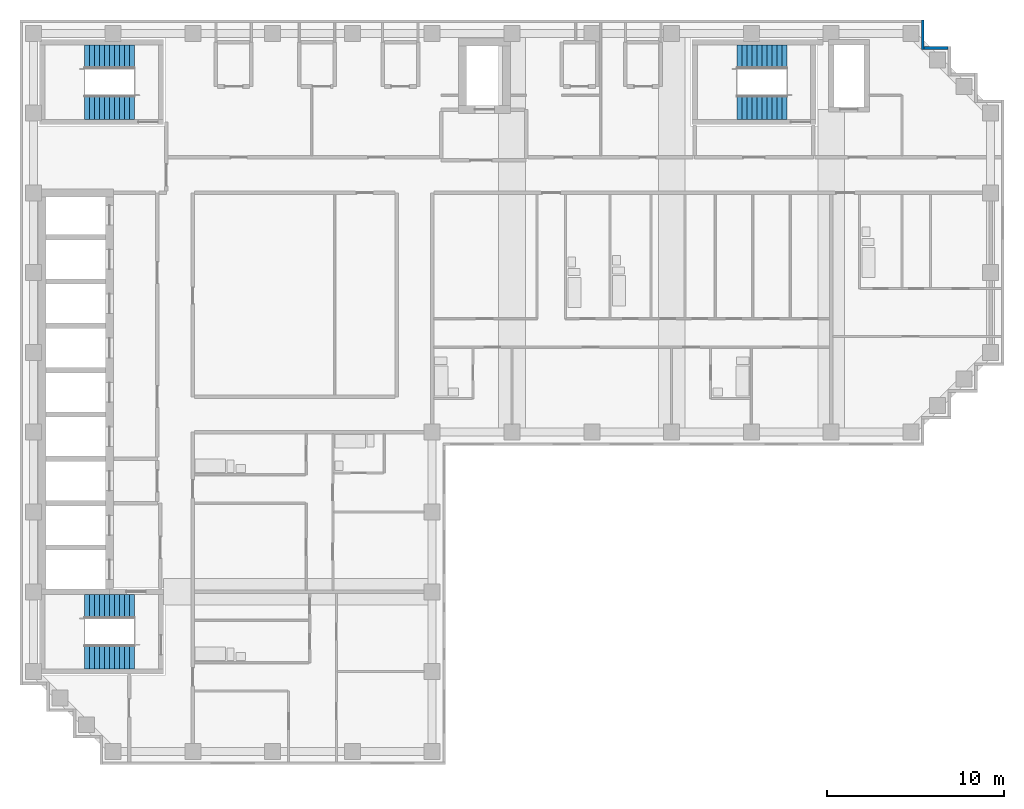
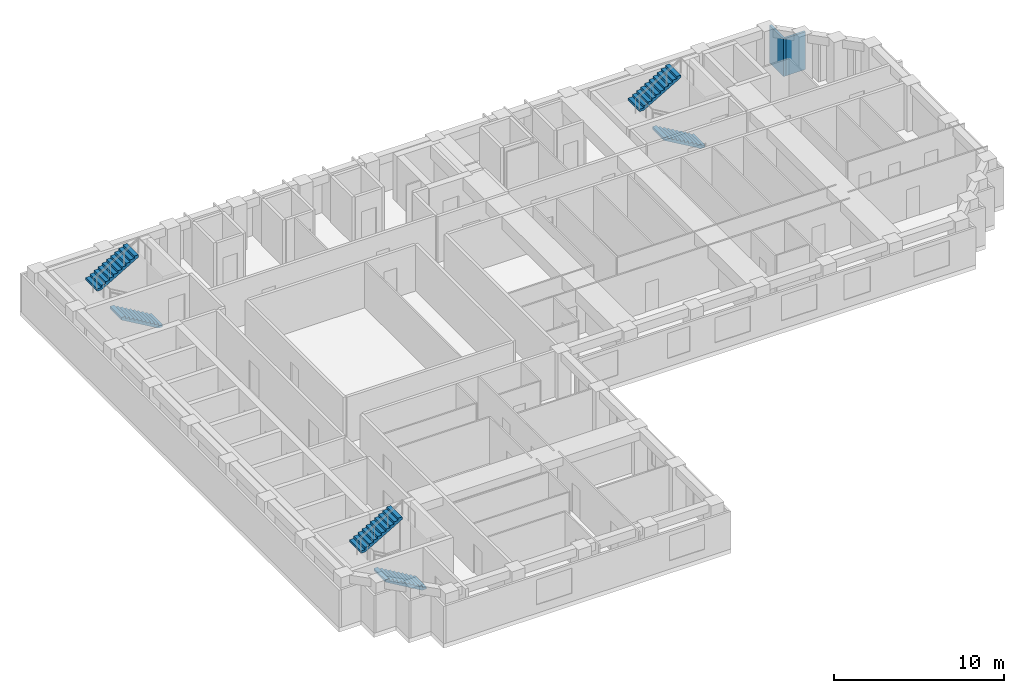
# One storey, part 7 of 9: 6 stair flights, 2 walls, 3 elements without a shape of their own.
"""IFC4 building model written with IfcOpenShell, lengths in metres."""

from ifc_helpers import new_model, si_unit, direction, frame, frame_2d, origin, place, context, subcontext, project, spatial, polyline, rectangle, outline, extrude, material, layer, layer_set, type_object, element, aggregate, save


model = new_model("IFC4")

# Units and contexts
model_context = context("Model", 3, precision=1e-05, world=origin(), true_north=direction((0.0, 1.0)))
body_context = subcontext(model_context, "Body", "Model", "MODEL_VIEW")
ifc_project = project(units=[si_unit("LENGTHUNIT", "METRE"), si_unit("AREAUNIT", "SQUARE_METRE"), si_unit("VOLUMEUNIT", "CUBIC_METRE"), si_unit("PLANEANGLEUNIT", "RADIAN"), si_unit("MASSUNIT", "GRAM", prefix="KILO")], contexts=[model_context])

# Site, building, storey
site_placement = place(None, origin())
site = spatial("IfcSite", under=ifc_project, at=site_placement, CompositionType="ELEMENT")
building_placement = place(site_placement, origin())
building = spatial("IfcBuilding", under=site, at=building_placement, Name="Firuza Court", CompositionType="ELEMENT")
storey_placement = place(building_placement, frame((0.0, 0.0, 222.199951171875)))
storey = spatial("IfcBuildingStorey", under=building, at=storey_placement, Name="L57", CompositionType="ELEMENT", Elevation=222.199951171875)

# Walls
ifc_material_1 = material(Name="Ceramic tile", Category="ceramic")
ifc_layer_1 = layer(ifc_material_1, 0.02001953125)
ifc_material_2 = material(Name="Mineral wool insulation", Category="insulation")
ifc_layer_2 = layer(ifc_material_2, 0.050048828125)
ifc_material_3 = material(Name="Concrete C40/50 precast", Category="concrete")
ifc_layer_3 = layer(ifc_material_3, 0.080078125)
ifc_layer_set = layer_set([ifc_layer_1, ifc_layer_2, ifc_layer_3], Name="Concrete C40/50 precast")
wall_type = type_object("IfcWallType", Name="Precast cladding wall with turquoise TILE PANEL face 150", PredefinedType="STANDARD", material=ifc_layer_set)
wall_1_placement = place(storey_placement, frame((51.60009765625, 57.675048828125, 0.0), z_axis=(0.0, 0.0, 1.0), x_axis=(-1.0, 0.0, 0.0)))
element("IfcWall", 1, at=wall_1_placement, inside=storey, type_object=wall_type, Name="Facade wall L57 N", PredefinedType="STANDARD", context=body_context, shape_type="SweptSolid", body=[
    extrude(rectangle(XDim=1.35009765625, YDim=0.14990234375, at=frame_2d((0.675048828125, 0.0))), origin(), (0.0, 0.0, 1.0), 2.699951171875),
])
wall_2_placement = place(storey_placement, frame((50.175048828125, 57.60009765625, 0.0), z_axis=(0.0, 0.0, 1.0), x_axis=(0.0, 1.0, 0.0)))
element("IfcWall", 2, at=wall_2_placement, inside=storey, type_object=wall_type, Name="Facade wall L57 E", PredefinedType="STANDARD", context=body_context, shape_type="SweptSolid", body=[
    extrude(rectangle(XDim=1.64990234375, YDim=0.14990234375, at=frame_2d((0.824951171875, 0.0))), origin(), (0.0, 0.0, 1.0), 2.699951171875),
])

# Stair, stair flights
ifc_material_4 = material(Name="Concrete C40/50 precast", Category="concrete")
stair_type = type_object("IfcStairType", Name="Stair 1350 x 3600 2 flights", PredefinedType="HALF_TURN_STAIR", material=ifc_material_4)
stair_1_placement = place(storey_placement, origin())
stair_1 = element("IfcStair", 3, at=stair_1_placement, inside=storey, type_object=stair_type, Name="Stair 1 L57", PredefinedType="HALF_TURN_STAIR")
ifc_material_5 = material(Name="Concrete C40/50 precast", Category="concrete")
stair_flight_type = type_object("IfcStairFlightType", Name="Flight 1350 riser 163.6", PredefinedType="STRAIGHT", material=ifc_material_5)
stair_flight_1_placement = place(storey_placement, frame((42.5, 54.324951171875, 0.0), z_axis=(0.0, 0.0, 1.0), x_axis=(-1.0, 0.0, 0.0)))
stair_flight_1 = element("IfcStairFlight", 4, at=stair_flight_1_placement, type_object=stair_flight_type, Name="S1 flight 1", NumberOfRisers=11, NumberOfTreads=10, PredefinedType="STRAIGHT", RiserHeight=0.163636364, TreadLength=0.28, context=body_context, shape_type="SweptSolid", body=[
    extrude(outline(polyline([(0.0, 0.0), (0.0, 0.16357421875), (0.280029296875, 0.16357421875), (0.280029296875, 0.327392578125), (0.56005859375, 0.327392578125), (0.56005859375, 0.490966796875), (0.840087890625, 0.490966796875), (0.840087890625, 0.654541015625), (1.1201171875, 0.654541015625), (1.1201171875, 0.818115234375), (1.39990234375, 0.818115234375), (1.39990234375, 0.98193359375), (1.679931640625, 0.98193359375), (1.679931640625, 1.1455078125), (1.9599609375, 1.1455078125), (1.9599609375, 1.30908203125), (2.239990234375, 1.30908203125), (2.239990234375, 1.47265625), (2.52001953125, 1.47265625), (2.52001953125, 1.636474609375), (2.800048828125, 1.636474609375), (2.800048828125, 1.800048828125), (2.800048828125, 1.462646484375), (0.297119140625, 0.0), (0.0, 0.0)])), frame((0.0, 0.675048828125, 0.0), z_axis=(0.0, -1.0, 0.0), x_axis=(1.0, 0.0, 0.0)), (0.0, 0.0, 1.0), 1.35009765625),
])
stair_flight_2_placement = place(storey_placement, frame((39.699951171875, 57.175048828125, 1.800048828125), z_axis=(0.0, 0.0, 1.0), x_axis=(1.0, 0.0, 0.0)))
stair_flight_2 = element("IfcStairFlight", 5, at=stair_flight_2_placement, type_object=stair_flight_type, Name="S1 flight 2", NumberOfRisers=11, NumberOfTreads=10, PredefinedType="STRAIGHT", RiserHeight=0.163636364, TreadLength=0.28, context=body_context, shape_type="SweptSolid", body=[
    extrude(outline(polyline([(0.0, 0.0), (0.0, 0.16357421875), (0.280029296875, 0.16357421875), (0.280029296875, 0.327392578125), (0.56005859375, 0.327392578125), (0.56005859375, 0.490966796875), (0.840087890625, 0.490966796875), (0.840087890625, 0.654541015625), (1.1201171875, 0.654541015625), (1.1201171875, 0.818115234375), (1.39990234375, 0.818115234375), (1.39990234375, 0.98193359375), (1.679931640625, 0.98193359375), (1.679931640625, 1.1455078125), (1.9599609375, 1.1455078125), (1.9599609375, 1.30908203125), (2.239990234375, 1.30908203125), (2.239990234375, 1.47265625), (2.52001953125, 1.47265625), (2.52001953125, 1.636474609375), (2.800048828125, 1.636474609375), (2.800048828125, 1.800048828125), (2.800048828125, 1.462646484375), (0.297119140625, 0.0), (0.0, 0.0)])), frame((0.0, 0.675048828125, 0.0), z_axis=(0.0, -1.0, 0.0), x_axis=(1.0, 0.0, 0.0)), (0.0, 0.0, 1.0), 1.35009765625),
])
aggregate(stair_1, [stair_flight_1, stair_flight_2])

stair_2_placement = place(storey_placement, origin())
stair_2 = element("IfcStair", 6, at=stair_2_placement, inside=storey, type_object=stair_type, Name="Stair 2 L57", PredefinedType="HALF_TURN_STAIR")
stair_flight_3_placement = place(storey_placement, frame((5.699951171875, 23.324951171875, 0.0), z_axis=(0.0, 0.0, 1.0), x_axis=(-1.0, 0.0, 0.0)))
stair_flight_3 = element("IfcStairFlight", 7, at=stair_flight_3_placement, type_object=stair_flight_type, Name="S2 flight 1", NumberOfRisers=11, NumberOfTreads=10, PredefinedType="STRAIGHT", RiserHeight=0.163636364, TreadLength=0.28, context=body_context, shape_type="SweptSolid", body=[
    extrude(outline(polyline([(0.0, 0.0), (0.0, 0.16357421875), (0.280029296875, 0.16357421875), (0.280029296875, 0.327392578125), (0.56005859375, 0.327392578125), (0.56005859375, 0.490966796875), (0.840087890625, 0.490966796875), (0.840087890625, 0.654541015625), (1.1201171875, 0.654541015625), (1.1201171875, 0.818115234375), (1.39990234375, 0.818115234375), (1.39990234375, 0.98193359375), (1.679931640625, 0.98193359375), (1.679931640625, 1.1455078125), (1.9599609375, 1.1455078125), (1.9599609375, 1.30908203125), (2.239990234375, 1.30908203125), (2.239990234375, 1.47265625), (2.52001953125, 1.47265625), (2.52001953125, 1.636474609375), (2.800048828125, 1.636474609375), (2.800048828125, 1.800048828125), (2.800048828125, 1.462646484375), (0.297119140625, 0.0), (0.0, 0.0)])), frame((0.0, 0.675048828125, 0.0), z_axis=(0.0, -1.0, 0.0), x_axis=(1.0, 0.0, 0.0)), (0.0, 0.0, 1.0), 1.35009765625),
])
stair_flight_4_placement = place(storey_placement, frame((2.89990234375, 26.175048828125, 1.800048828125), z_axis=(0.0, 0.0, 1.0), x_axis=(1.0, 0.0, 0.0)))
stair_flight_4 = element("IfcStairFlight", 8, at=stair_flight_4_placement, type_object=stair_flight_type, Name="S2 flight 2", NumberOfRisers=11, NumberOfTreads=10, PredefinedType="STRAIGHT", RiserHeight=0.163636364, TreadLength=0.28, context=body_context, shape_type="SweptSolid", body=[
    extrude(outline(polyline([(0.0, 0.0), (0.0, 0.16357421875), (0.280029296875, 0.16357421875), (0.280029296875, 0.327392578125), (0.56005859375, 0.327392578125), (0.56005859375, 0.490966796875), (0.840087890625, 0.490966796875), (0.840087890625, 0.654541015625), (1.1201171875, 0.654541015625), (1.1201171875, 0.818115234375), (1.39990234375, 0.818115234375), (1.39990234375, 0.98193359375), (1.679931640625, 0.98193359375), (1.679931640625, 1.1455078125), (1.9599609375, 1.1455078125), (1.9599609375, 1.30908203125), (2.239990234375, 1.30908203125), (2.239990234375, 1.47265625), (2.52001953125, 1.47265625), (2.52001953125, 1.636474609375), (2.800048828125, 1.636474609375), (2.800048828125, 1.800048828125), (2.800048828125, 1.462646484375), (0.297119140625, 0.0), (0.0, 0.0)])), frame((0.0, 0.675048828125, 0.0), z_axis=(0.0, -1.0, 0.0), x_axis=(1.0, 0.0, 0.0)), (0.0, 0.0, 1.0), 1.35009765625),
])
aggregate(stair_2, [stair_flight_3, stair_flight_4])

stair_3_placement = place(storey_placement, origin())
stair_3 = element("IfcStair", 9, at=stair_3_placement, inside=storey, type_object=stair_type, Name="Stair 3 L57", PredefinedType="HALF_TURN_STAIR")
stair_flight_5_placement = place(storey_placement, frame((5.699951171875, 54.324951171875, 0.0), z_axis=(0.0, 0.0, 1.0), x_axis=(-1.0, 0.0, 0.0)))
stair_flight_5 = element("IfcStairFlight", 10, at=stair_flight_5_placement, type_object=stair_flight_type, Name="S3 flight 1", NumberOfRisers=11, NumberOfTreads=10, PredefinedType="STRAIGHT", RiserHeight=0.163636364, TreadLength=0.28, context=body_context, shape_type="SweptSolid", body=[
    extrude(outline(polyline([(0.0, 0.0), (0.0, 0.16357421875), (0.280029296875, 0.16357421875), (0.280029296875, 0.327392578125), (0.56005859375, 0.327392578125), (0.56005859375, 0.490966796875), (0.840087890625, 0.490966796875), (0.840087890625, 0.654541015625), (1.1201171875, 0.654541015625), (1.1201171875, 0.818115234375), (1.39990234375, 0.818115234375), (1.39990234375, 0.98193359375), (1.679931640625, 0.98193359375), (1.679931640625, 1.1455078125), (1.9599609375, 1.1455078125), (1.9599609375, 1.30908203125), (2.239990234375, 1.30908203125), (2.239990234375, 1.47265625), (2.52001953125, 1.47265625), (2.52001953125, 1.636474609375), (2.800048828125, 1.636474609375), (2.800048828125, 1.800048828125), (2.800048828125, 1.462646484375), (0.297119140625, 0.0), (0.0, 0.0)])), frame((0.0, 0.675048828125, 0.0), z_axis=(0.0, -1.0, 0.0), x_axis=(1.0, 0.0, 0.0)), (0.0, 0.0, 1.0), 1.35009765625),
])
stair_flight_6_placement = place(storey_placement, frame((2.89990234375, 57.175048828125, 1.800048828125), z_axis=(0.0, 0.0, 1.0), x_axis=(1.0, 0.0, 0.0)))
stair_flight_6 = element("IfcStairFlight", 11, at=stair_flight_6_placement, type_object=stair_flight_type, Name="S3 flight 2", NumberOfRisers=11, NumberOfTreads=10, PredefinedType="STRAIGHT", RiserHeight=0.163636364, TreadLength=0.28, context=body_context, shape_type="SweptSolid", body=[
    extrude(outline(polyline([(0.0, 0.0), (0.0, 0.16357421875), (0.280029296875, 0.16357421875), (0.280029296875, 0.327392578125), (0.56005859375, 0.327392578125), (0.56005859375, 0.490966796875), (0.840087890625, 0.490966796875), (0.840087890625, 0.654541015625), (1.1201171875, 0.654541015625), (1.1201171875, 0.818115234375), (1.39990234375, 0.818115234375), (1.39990234375, 0.98193359375), (1.679931640625, 0.98193359375), (1.679931640625, 1.1455078125), (1.9599609375, 1.1455078125), (1.9599609375, 1.30908203125), (2.239990234375, 1.30908203125), (2.239990234375, 1.47265625), (2.52001953125, 1.47265625), (2.52001953125, 1.636474609375), (2.800048828125, 1.636474609375), (2.800048828125, 1.800048828125), (2.800048828125, 1.462646484375), (0.297119140625, 0.0), (0.0, 0.0)])), frame((0.0, 0.675048828125, 0.0), z_axis=(0.0, -1.0, 0.0), x_axis=(1.0, 0.0, 0.0)), (0.0, 0.0, 1.0), 1.35009765625),
])
aggregate(stair_3, [stair_flight_5, stair_flight_6])

save(model, "model.ifc")
